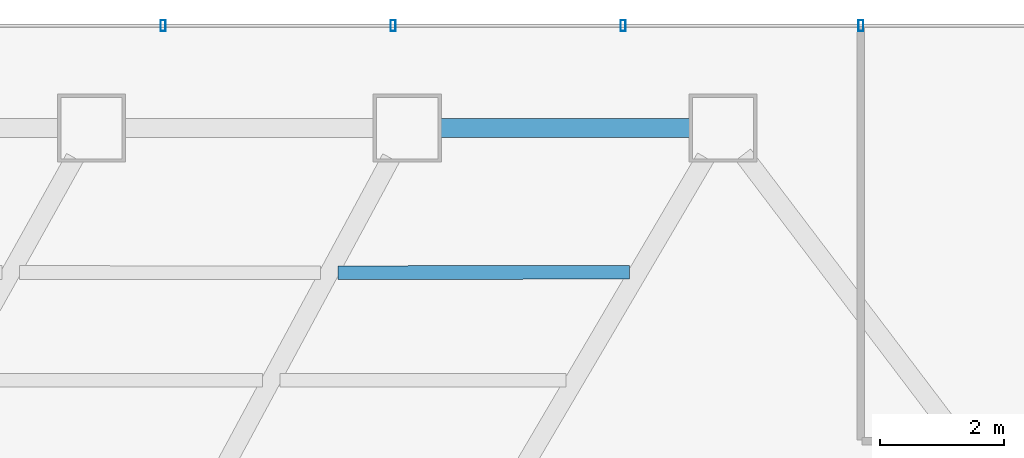
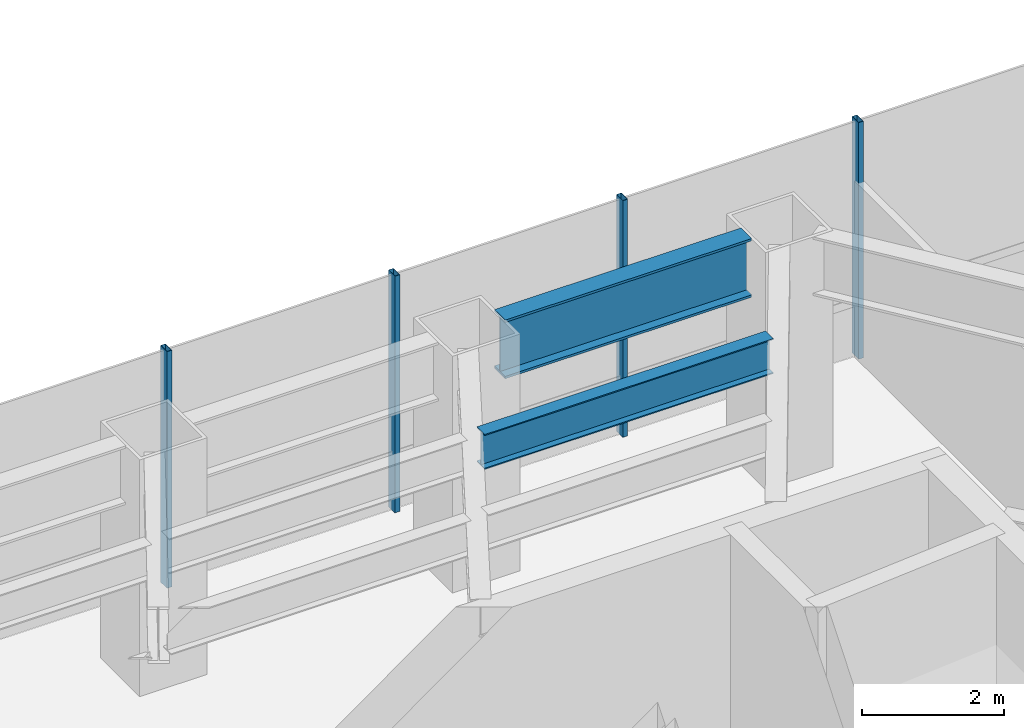
# One storey, part 20 of 33: 4 members, 2 beams, 1 element without a shape of its own.
"""IFC4 building model written with IfcOpenShell, lengths in metres."""

from ifc_helpers import new_model, si_unit, direction, frame, origin, origin_2d, place, context, subcontext, project, spatial, hollow_rectangle, i_section, extrude, material, layer, layer_set, material_profile, profile_set, type_object, element, aggregate, save


model = new_model("IFC4")

# Units and contexts
model_context = context("Model", 3, precision=1e-05, world=origin(), true_north=direction((0.0, 1.0)))
body_context = subcontext(model_context, "Body", "Model", "MODEL_VIEW")
ifc_project = project(units=[si_unit("LENGTHUNIT", "METRE"), si_unit("AREAUNIT", "SQUARE_METRE"), si_unit("VOLUMEUNIT", "CUBIC_METRE"), si_unit("PLANEANGLEUNIT", "RADIAN"), si_unit("MASSUNIT", "GRAM", prefix="KILO")], contexts=[model_context])

# Site, building, storey
site_placement = place(None, origin())
site = spatial("IfcSite", under=ifc_project, at=site_placement, CompositionType="ELEMENT")
building_placement = place(site_placement, origin())
building = spatial("IfcBuilding", under=site, at=building_placement, Name="Zarrinselat Tower", CompositionType="ELEMENT")
storey_placement = place(building_placement, frame((0.0, 0.0, 18.360107421875)))
storey = spatial("IfcBuildingStorey", under=building, at=storey_placement, Name="L04", CompositionType="ELEMENT", Elevation=18.360107421875)

# Beams
ifc_material_1 = material(Name="Steel S460M", Category="steel")
ifc_material_profile_1 = material_profile(ifc_material_1, i_section(OverallWidth=0.302001953125, OverallDepth=1.008056640625, WebThickness=0.02099609375, FlangeThickness=0.0400390625, at=origin_2d()), Name="HEM 1000")
ifc_profile_set_1 = profile_set([ifc_material_profile_1], Name="Steel S460M")
beam_type_1 = type_object("IfcBeamType", Name="BM-HEM1000", PredefinedType="BEAM", material=ifc_profile_set_1)
beam_1_placement = place(storey_placement, frame((44.7265625, 49.550048828125, 3.56591796875), z_axis=(1.0, 0.0, 0.0), x_axis=(0.0, 1.0, 0.0)))
element("IfcBeam", 1, at=beam_1_placement, inside=storey, type_object=beam_type_1, Name="L04 Perimeter Spandrel Girder SP01", PredefinedType="BEAM", context=body_context, shape_type="SweptSolid", body=[
    extrude(i_section(OverallWidth=0.302001953125, OverallDepth=1.008056640625, WebThickness=0.02099609375, FlangeThickness=0.0400390625, at=origin_2d()), origin(), (0.0, 0.0, 1.0), 4.012451171875),
])
ifc_material_2 = material(Name="Steel S355J2", Category="steel")
ifc_material_profile_2 = material_profile(ifc_material_2, i_section(OverallWidth=0.219970703125, OverallDepth=0.60009765625, WebThickness=0.011962890625, FlangeThickness=0.01904296875, at=origin_2d()), Name="IPE 600")
ifc_profile_set_2 = profile_set([ifc_material_profile_2], Name="Steel S355J2")
beam_type_2 = type_object("IfcBeamType", Name="BM-IPE600", PredefinedType="JOIST", material=ifc_profile_set_2)
beam_2_placement = place(storey_placement, frame((43.0712890625, 47.22021484375, 3.769775390625), z_axis=(0.999999156338, 0.001298970119, 0.0), x_axis=(-0.001298970119, 0.999999156338, 0.0)))
element("IfcBeam", 2, at=beam_2_placement, inside=storey, type_object=beam_type_2, Name="L04 Composite Floor Joist 7-1", PredefinedType="JOIST", context=body_context, shape_type="SweptSolid", body=[
    extrude(i_section(OverallWidth=0.219970703125, OverallDepth=0.60009765625, WebThickness=0.011962890625, FlangeThickness=0.01904296875, at=origin_2d()), origin(), (0.0, 0.0, 1.0), 4.69873046875),
])

# Curtain wall, members
ifc_material_3 = material(Name="Extruded Aluminium Alloy EN AW-6063 T6", Category="aluminium")
ifc_layer = layer(ifc_material_3, 0.2099609375)
ifc_layer_set = layer_set([ifc_layer], Name="Extruded Aluminium Alloy EN AW-6063 T6")
curtain_wall_type = type_object("IfcCurtainWallType", Name="CWS-POD", PredefinedType="NOTDEFINED", material=ifc_layer_set)
curtain_wall_placement = place(storey_placement, origin())
curtain_wall = element("IfcCurtainWall", 3, at=curtain_wall_placement, inside=storey, type_object=curtain_wall_type, Name="L04 Unitised Curtain Wall CW-L04-F5", PredefinedType="NOTDEFINED")
ifc_material_4 = material(Name="Extruded Aluminium Alloy EN AW-6063 T6", Category="aluminium")
ifc_material_profile_3 = material_profile(ifc_material_4, hollow_rectangle(XDim=0.080078125, YDim=0.179931640625, WallThickness=0.0048828125, at=origin_2d()), Name="RHS 180x80x5")
ifc_profile_set_3 = profile_set([ifc_material_profile_3], Name="Extruded Aluminium Alloy EN AW-6063 T6")
member_type = type_object("IfcMemberType", Name="MEM-CW-MUL", PredefinedType="MULLION", material=ifc_profile_set_3)
member_1_placement = place(storey_placement, frame((51.5, 51.199951171875, 0.0), z_axis=(0.0, 0.0, 1.0), x_axis=(-1.0, 0.0, 0.0)))
member_1 = element("IfcMember", 4, at=member_1_placement, type_object=member_type, Name="CW-L04-F5 Mullion 4", PredefinedType="MULLION", context=body_context, shape_type="SweptSolid", body=[
    extrude(hollow_rectangle(XDim=0.080078125, YDim=0.179931640625, WallThickness=0.0048828125, at=origin_2d()), origin(), (0.0, 0.0, 1.0), 4.06982421875),
])
member_2_placement = place(storey_placement, frame((47.666748046875, 51.199951171875, 0.0), z_axis=(0.0, 0.0, 1.0), x_axis=(-1.0, 0.0, 0.0)))
member_2 = element("IfcMember", 5, at=member_2_placement, type_object=member_type, Name="CW-L04-F5 Mullion 5", PredefinedType="MULLION", context=body_context, shape_type="SweptSolid", body=[
    extrude(hollow_rectangle(XDim=0.080078125, YDim=0.179931640625, WallThickness=0.0048828125, at=origin_2d()), origin(), (0.0, 0.0, 1.0), 4.06982421875),
])
member_3_placement = place(storey_placement, frame((43.9599609375, 51.199951171875, 0.0), z_axis=(0.0, 0.0, 1.0), x_axis=(-1.0, 0.0, 0.0)))
member_3 = element("IfcMember", 6, at=member_3_placement, type_object=member_type, Name="CW-L04-F5 Mullion 6", PredefinedType="MULLION", context=body_context, shape_type="SweptSolid", body=[
    extrude(hollow_rectangle(XDim=0.080078125, YDim=0.179931640625, WallThickness=0.0048828125, at=origin_2d()), origin(), (0.0, 0.0, 1.0), 4.06982421875),
])
member_4_placement = place(storey_placement, frame((40.25341796875, 51.199951171875, 0.0), z_axis=(0.0, 0.0, 1.0), x_axis=(-1.0, 0.0, 0.0)))
member_4 = element("IfcMember", 7, at=member_4_placement, type_object=member_type, Name="CW-L04-F5 Mullion 7", PredefinedType="MULLION", context=body_context, shape_type="SweptSolid", body=[
    extrude(hollow_rectangle(XDim=0.080078125, YDim=0.179931640625, WallThickness=0.0048828125, at=origin_2d()), origin(), (0.0, 0.0, 1.0), 4.06982421875),
])
aggregate(curtain_wall, [member_1, member_2, member_3, member_4])

save(model, "model.ifc")
